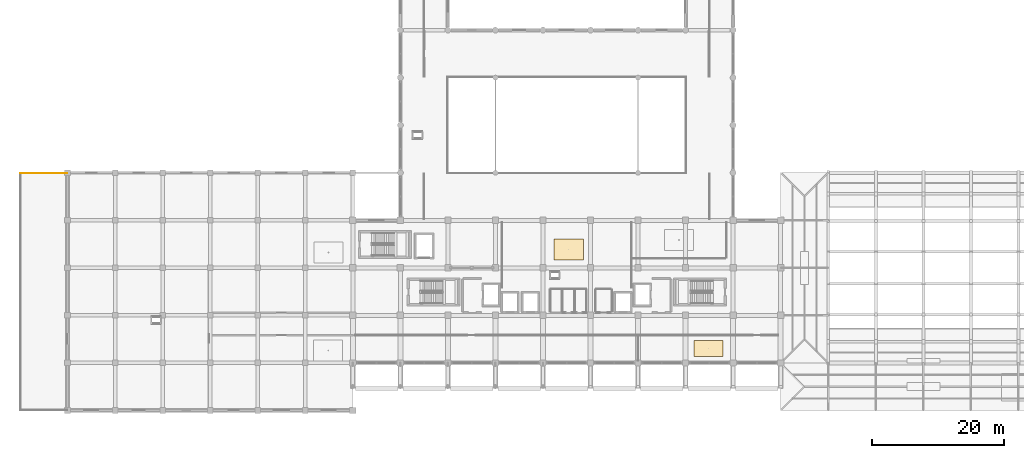
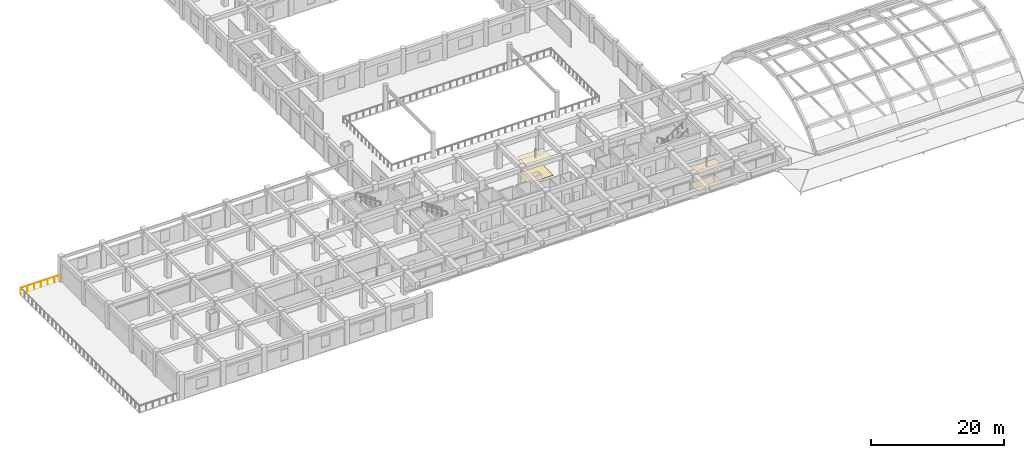
# One storey, part 50 of 54: 4 coverings, 1 railing.
"""IFC4 building model written with IfcOpenShell, lengths in metres."""

from ifc_helpers import new_model, si_unit, direction, frame, origin, origin_2d, place, context, subcontext, project, spatial, rectangle, circle, extrude, material, layer, layer_set, type_object, element, save


model = new_model("IFC4")

# Units and contexts
model_context = context("Model", 3, precision=1e-05, world=origin(), true_north=direction((0.0, 1.0)))
body_context = subcontext(model_context, "Body", "Model", "MODEL_VIEW")
ifc_project = project(units=[si_unit("LENGTHUNIT", "METRE"), si_unit("AREAUNIT", "SQUARE_METRE"), si_unit("VOLUMEUNIT", "CUBIC_METRE"), si_unit("PLANEANGLEUNIT", "RADIAN"), si_unit("MASSUNIT", "GRAM", prefix="KILO")], contexts=[model_context])

# Site, building, storey
site_placement = place(None, origin())
site = spatial("IfcSite", under=ifc_project, at=site_placement, CompositionType="ELEMENT")
building_placement = place(site_placement, origin())
building = spatial("IfcBuilding", under=site, at=building_placement, Name="Kazehaya Institute of Natural Sciences", CompositionType="ELEMENT")
storey_placement = place(building_placement, frame((0.0, 0.0, 10.43994140625)))
storey = spatial("IfcBuildingStorey", under=building, at=storey_placement, Name="L02", CompositionType="ELEMENT", Elevation=10.43994140625)

# Coverings
ifc_material_1 = material(Name="Mineral-fibre acoustic ceiling tile")
ifc_layer_1 = layer(ifc_material_1, 0.02490234375, Name="Mineral-fibre acoustic ceiling tile")
ifc_layer_set_1 = layer_set([ifc_layer_1], Name="Mineral-fibre acoustic ceiling tile")
covering_type_1 = type_object("IfcCoveringType", Name="COV-CEIL-AC", PredefinedType="CEILING", material=ifc_layer_set_1)
covering_1_placement = place(storey_placement, frame((108.5, 16.175048828125, 3.027587890625), z_axis=(0.0, 0.0, 1.0), x_axis=(1.0, 0.0, 0.0)))
element("IfcCovering", 1, at=covering_1_placement, inside=storey, type_object=covering_type_1, Name="L02 Researcher Write-up Office ceiling 24", PredefinedType="CEILING", context=body_context, shape_type="SweptSolid", body=[
    extrude(rectangle(XDim=4.39990234375, YDim=2.449951171875, at=origin_2d()), origin(), (0.0, 0.0, 1.0), 0.02490234375),
])
covering_2_placement = place(storey_placement, frame((87.302001953125, 31.19580078125, 3.027587890625), z_axis=(0.0, 0.0, 1.0), x_axis=(1.0, 0.0, 0.0)))
element("IfcCovering", 2, at=covering_2_placement, inside=storey, type_object=covering_type_1, Name="L02 Chromatography Laboratory ceiling 25", PredefinedType="CEILING", context=body_context, shape_type="SweptSolid", body=[
    extrude(rectangle(XDim=4.39990234375, YDim=3.199951171875, at=origin_2d()), origin(), (0.0, 0.0, 1.0), 0.02490234375),
])
ifc_material_2 = material(Name="Seamless chemical-resistant epoxy flooring")
ifc_layer_2 = layer(ifc_material_2, 0.014892578125, Name="Seamless chemical-resistant epoxy flooring")
ifc_layer_set_2 = layer_set([ifc_layer_2], Name="Seamless chemical-resistant epoxy flooring")
covering_type_2 = type_object("IfcCoveringType", Name="COV-FLR-EPX", PredefinedType="FLOORING", material=ifc_layer_set_2)
covering_3_placement = place(storey_placement, frame((87.302001953125, 31.19580078125, 0.0), z_axis=(0.0, 0.0, 1.0), x_axis=(1.0, 0.0, 0.0)))
element("IfcCovering", 3, at=covering_3_placement, inside=storey, type_object=covering_type_2, Name="L02 Chromatography Laboratory finish flooring 25", PredefinedType="FLOORING", context=body_context, shape_type="SweptSolid", body=[
    extrude(rectangle(XDim=4.39990234375, YDim=3.199951171875, at=origin_2d()), origin(), (0.0, 0.0, 1.0), 0.014892578125),
])
ifc_material_3 = material(Name="Polished Sawara stone terrazzo flooring", Category="masonry")
ifc_layer_3 = layer(ifc_material_3, 0.02001953125, Name="Polished Sawara stone terrazzo flooring", Category="masonry")
ifc_layer_set_3 = layer_set([ifc_layer_3], Name="Polished Sawara stone terrazzo flooring")
covering_type_3 = type_object("IfcCoveringType", Name="COV-FLR-TRZ", PredefinedType="FLOORING", material=ifc_layer_set_3)
covering_4_placement = place(storey_placement, frame((108.5, 16.175048828125, 0.0), z_axis=(0.0, 0.0, 1.0), x_axis=(1.0, 0.0, 0.0)))
element("IfcCovering", 4, at=covering_4_placement, inside=storey, type_object=covering_type_3, Name="L02 Researcher Write-up Office finish flooring 24", PredefinedType="FLOORING", context=body_context, shape_type="SweptSolid", body=[
    extrude(rectangle(XDim=4.39990234375, YDim=2.449951171875, at=origin_2d()), origin(), (0.0, 0.0, 1.0), 0.02001953125),
])

# Railing
ifc_material_4 = material(Name="Precast limestone and bronze balustrade", Category="masonry")
railing_type = type_object("IfcRailingType", Name="RL-GUARD-TER", PredefinedType="BALUSTRADE", material=ifc_material_4)
railing_placement = place(storey_placement, frame((11.320068359375, 42.719970703125, 0.0)))
element("IfcRailing", 5, at=railing_placement, inside=storey, type_object=railing_type, Name="L02 terrace balustrade GRD-L02-011", PredefinedType="BALUSTRADE", context=body_context, shape_type="SweptSolid", body=[
    extrude(circle(Radius=0.02392578125, at=origin_2d()), frame((0.0, 0.0, 1.1259765625), z_axis=(-1.0, 0.0, 0.0), x_axis=(0.0, -1.0, 0.0)), (0.0, 0.0, 1.0), 7.0400390625),
    extrude(circle(Radius=0.02099609375, at=origin_2d()), origin(), (0.0, 0.0, 1.0), 1.101806640625),
    extrude(circle(Radius=0.02099609375, at=origin_2d()), frame((-1.17333984375, 0.0, 0.0)), (0.0, 0.0, 1.0), 1.101806640625),
    extrude(circle(Radius=0.02099609375, at=origin_2d()), frame((-2.3466796875, 0.0, 0.0)), (0.0, 0.0, 1.0), 1.101806640625),
    extrude(circle(Radius=0.02099609375, at=origin_2d()), frame((-3.52001953125, 0.0, 0.0)), (0.0, 0.0, 1.0), 1.101806640625),
    extrude(circle(Radius=0.02099609375, at=origin_2d()), frame((-4.693359375, 0.0, 0.0)), (0.0, 0.0, 1.0), 1.101806640625),
    extrude(circle(Radius=0.02099609375, at=origin_2d()), frame((-5.86669921875, 0.0, 0.0)), (0.0, 0.0, 1.0), 1.101806640625),
    extrude(circle(Radius=0.02099609375, at=origin_2d()), frame((-7.0400390625, 0.0, 0.0)), (0.0, 0.0, 1.0), 1.101806640625),
])

save(model, "model.ifc")
